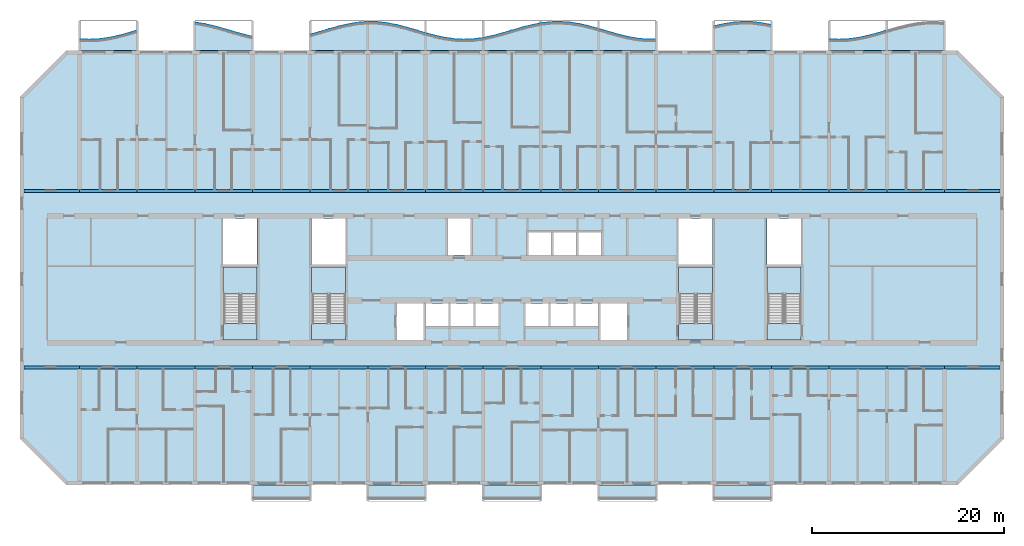
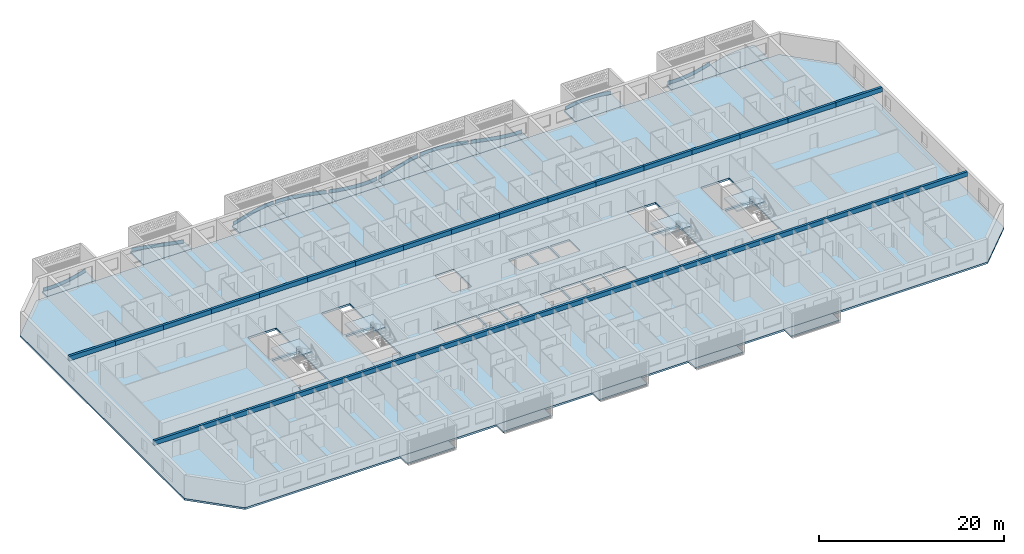
# One storey, part 1 of 44: 34 beams, 25 slabs, 10 plates, 4 elements without a shape of their own.
"""IFC4 building model written with IfcOpenShell, lengths in metres."""

from ifc_helpers import new_model, si_unit, direction, frame, origin, origin_2d, place, context, subcontext, project, spatial, polyline, rectangle, outline, extrude, source, transform, mapped, material, layer, layer_set, material_profile, profile_set, type_object, element, aggregate, save


model = new_model("IFC4")

# Units and contexts
model_context = context("Model", 3, precision=1e-05, world=origin(), true_north=direction((0.0, 1.0)))
body_context = subcontext(model_context, "Body", "Model", "MODEL_VIEW")
ifc_project = project(units=[si_unit("LENGTHUNIT", "METRE"), si_unit("AREAUNIT", "SQUARE_METRE"), si_unit("VOLUMEUNIT", "CUBIC_METRE"), si_unit("PLANEANGLEUNIT", "RADIAN"), si_unit("MASSUNIT", "GRAM", prefix="KILO")], contexts=[model_context])

# Site, building, storey
site_placement = place(None, origin())
site = spatial("IfcSite", under=ifc_project, at=site_placement, CompositionType="ELEMENT")
building_placement = place(site_placement, origin())
building = spatial("IfcBuilding", under=site, at=building_placement, Name="Poui Terraces", CompositionType="ELEMENT")
storey_placement = place(building_placement, frame((0.0, 0.0, 30.0)))
storey = spatial("IfcBuildingStorey", under=building, at=storey_placement, Name="L07", CompositionType="ELEMENT", Elevation=30.0)

# Beams
ifc_material_1 = material(Name="Concrete 80 MPa", Category="concrete")
ifc_material_profile = material_profile(ifc_material_1, rectangle(XDim=0.300048828125, YDim=0.60009765625, at=origin_2d()), Name="RC 300x600")
ifc_profile_set = profile_set([ifc_material_profile], Name="Concrete 80 MPa")
beam_type = type_object("IfcBeamType", Name="COUPLING BEAM 300x600 80MPa", PredefinedType="BEAM", material=ifc_profile_set)
shared_shape_1 = source(origin(), body_context, "Body", "SweptSolid", [
    extrude(rectangle(XDim=0.300048828125, YDim=0.60009765625, at=origin_2d()), origin(), (0.0, 0.0, 1.0), 6.0),
])
for number, where, z_axis, x_axis, name in (
    (1, (6.0, 12.0, 2.75), (1.0, 0.0, 0.0), (0.0, 1.0, 0.0), "COUPLING BEAM LINE B BAY 2"),
    (2, (12.0, 12.0, 2.75), (1.0, 0.0, 0.0), (0.0, 1.0, 0.0), "COUPLING BEAM LINE B BAY 3"),
    (3, (18.0, 12.0, 2.75), (1.0, 0.0, 0.0), (0.0, 1.0, 0.0), "COUPLING BEAM LINE B BAY 4"),
    (4, (24.0, 12.0, 2.75), (1.0, 0.0, 0.0), (0.0, 1.0, 0.0), "COUPLING BEAM LINE B BAY 5"),
    (5, (30.0, 12.0, 2.75), (1.0, 0.0, 0.0), (0.0, 1.0, 0.0), "COUPLING BEAM LINE B BAY 6"),
    (6, (36.0, 12.0, 2.75), (1.0, 0.0, 0.0), (0.0, 1.0, 0.0), "COUPLING BEAM LINE B BAY 7"),
    (7, (42.0, 12.0, 2.75), (1.0, 0.0, 0.0), (0.0, 1.0, 0.0), "COUPLING BEAM LINE B BAY 8"),
    (8, (48.0, 12.0, 2.75), (1.0, 0.0, 0.0), (0.0, 1.0, 0.0), "COUPLING BEAM LINE B BAY 9"),
    (9, (54.0, 12.0, 2.75), (1.0, 0.0, 0.0), (0.0, 1.0, 0.0), "COUPLING BEAM LINE B BAY 10"),
    (10, (60.0, 12.0, 2.75), (1.0, 0.0, 0.0), (0.0, 1.0, 0.0), "COUPLING BEAM LINE B BAY 11"),
    (11, (66.0, 12.0, 2.75), (1.0, 0.0, 0.0), (0.0, 1.0, 0.0), "COUPLING BEAM LINE B BAY 12"),
    (12, (72.0, 12.0, 2.75), (1.0, 0.0, 0.0), (0.0, 1.0, 0.0), "COUPLING BEAM LINE B BAY 13"),
    (13, (78.0, 12.0, 2.75), (1.0, 0.0, 0.0), (0.0, 1.0, 0.0), "COUPLING BEAM LINE B BAY 14"),
    (14, (84.0, 12.0, 2.75), (1.0, 0.0, 0.0), (0.0, 1.0, 0.0), "COUPLING BEAM LINE B BAY 15"),
    (15, (90.0, 12.0, 2.75), (1.0, 0.0, 0.0), (0.0, 1.0, 0.0), "COUPLING BEAM LINE B BAY 16"),
    (16, (6.0, 30.39990234375, 2.75), (1.0, 0.0, 0.0), (0.0, 1.0, 0.0), "COUPLING BEAM LINE E BAY 2"),
    (17, (12.0, 30.39990234375, 2.75), (1.0, 0.0, 0.0), (0.0, 1.0, 0.0), "COUPLING BEAM LINE E BAY 3"),
    (18, (18.0, 30.39990234375, 2.75), (1.0, 0.0, 0.0), (0.0, 1.0, 0.0), "COUPLING BEAM LINE E BAY 4"),
    (19, (24.0, 30.39990234375, 2.75), (1.0, 0.0, 0.0), (0.0, 1.0, 0.0), "COUPLING BEAM LINE E BAY 5"),
    (20, (30.0, 30.39990234375, 2.75), (1.0, 0.0, 0.0), (0.0, 1.0, 0.0), "COUPLING BEAM LINE E BAY 6"),
    (21, (36.0, 30.39990234375, 2.75), (1.0, 0.0, 0.0), (0.0, 1.0, 0.0), "COUPLING BEAM LINE E BAY 7"),
    (22, (42.0, 30.39990234375, 2.75), (1.0, 0.0, 0.0), (0.0, 1.0, 0.0), "COUPLING BEAM LINE E BAY 8"),
    (23, (48.0, 30.39990234375, 2.75), (1.0, 0.0, 0.0), (0.0, 1.0, 0.0), "COUPLING BEAM LINE E BAY 9"),
    (24, (54.0, 30.39990234375, 2.75), (1.0, 0.0, 0.0), (0.0, 1.0, 0.0), "COUPLING BEAM LINE E BAY 10"),
    (25, (60.0, 30.39990234375, 2.75), (1.0, 0.0, 0.0), (0.0, 1.0, 0.0), "COUPLING BEAM LINE E BAY 11"),
    (26, (66.0, 30.39990234375, 2.75), (1.0, 0.0, 0.0), (0.0, 1.0, 0.0), "COUPLING BEAM LINE E BAY 12"),
    (27, (72.0, 30.39990234375, 2.75), (1.0, 0.0, 0.0), (0.0, 1.0, 0.0), "COUPLING BEAM LINE E BAY 13"),
    (28, (78.0, 30.39990234375, 2.75), (1.0, 0.0, 0.0), (0.0, 1.0, 0.0), "COUPLING BEAM LINE E BAY 14"),
    (29, (84.0, 30.39990234375, 2.75), (1.0, 0.0, 0.0), (0.0, 1.0, 0.0), "COUPLING BEAM LINE E BAY 15"),
    (30, (90.0, 30.39990234375, 2.75), (1.0, 0.0, 0.0), (0.0, 1.0, 0.0), "COUPLING BEAM LINE E BAY 16"),
):
    element("IfcBeam", number, at=place(storey_placement, frame(where, z_axis=z_axis, x_axis=x_axis)), inside=storey, type_object=beam_type, Name=name, PredefinedType="BEAM", context=body_context, shape_type="MappedRepresentation", body=[
        mapped(shared_shape_1, transform((0.0, 0.0, 0.0))),
    ])
shared_shape_2 = source(origin(), body_context, "Body", "SweptSolid", [
    extrude(rectangle(XDim=0.300048828125, YDim=0.60009765625, at=origin_2d()), origin(), (0.0, 0.0, 1.0), 5.800048828125),
])
for number, where, z_axis, x_axis, name in (
    (31, (0.199951171875, 12.0, 2.75), (1.0, 0.0, 0.0), (0.0, 1.0, 0.0), "COUPLING BEAM LINE B BAY 1"),
    (32, (96.0, 12.0, 2.75), (1.0, 0.0, 0.0), (0.0, 1.0, 0.0), "COUPLING BEAM LINE B BAY 17"),
    (33, (0.199951171875, 30.39990234375, 2.75), (1.0, 0.0, 0.0), (0.0, 1.0, 0.0), "COUPLING BEAM LINE E BAY 1"),
    (34, (96.0, 30.39990234375, 2.75), (1.0, 0.0, 0.0), (0.0, 1.0, 0.0), "COUPLING BEAM LINE E BAY 17"),
):
    element("IfcBeam", number, at=place(storey_placement, frame(where, z_axis=z_axis, x_axis=x_axis)), inside=storey, type_object=beam_type, Name=name, PredefinedType="BEAM", context=body_context, shape_type="MappedRepresentation", body=[
        mapped(shared_shape_2, transform((0.0, 0.0, 0.0))),
    ])

# Slabs
ifc_material_2 = material(Name="Precast concrete 40 MPa", Category="concrete")
ifc_layer_1 = layer(ifc_material_2, 0.199951171875)
ifc_layer_set_1 = layer_set([ifc_layer_1], Name="Precast concrete 40 MPa")
slab_type_1 = type_object("IfcSlabType", Name="BALCONY SLAB 200", PredefinedType="FLOOR", material=ifc_layer_set_1)
slab_1_placement = place(storey_placement, frame((0.0, 0.0, -0.2001953125)))
element("IfcSlab", 35, at=slab_1_placement, inside=storey, type_object=slab_type_1, Name="BALCONY SLAB", PredefinedType="FLOOR", context=body_context, shape_type="SweptSolid", body=[
    extrude(outline(polyline([(6.0, 45.0), (12.0, 45.0), (12.0, 47.0498046875), (11.0, 46.755615234375), (10.0, 46.489501953125), (9.0, 46.278076171875), (8.0, 46.143798828125), (7.0, 46.10009765625), (6.0, 46.151611328125), (6.0, 45.0)])), origin(), (0.0, 0.0, 1.0), 0.2001953125),
])
slab_2_placement = place(storey_placement, frame((0.0, 0.0, -0.2001953125)))
element("IfcSlab", 36, at=slab_2_placement, inside=storey, type_object=slab_type_1, Name="BALCONY SLAB", PredefinedType="FLOOR", context=body_context, shape_type="SweptSolid", body=[
    extrude(outline(polyline([(18.0, 45.0), (24.0, 45.0), (24.0, 46.393310546875), (23.0, 46.6396484375), (22.0, 46.92578125), (21.0, 47.22216796875), (20.0, 47.498291015625), (19.0, 47.7255859375), (18.0, 47.880859375), (18.0, 45.0)])), origin(), (0.0, 0.0, 1.0), 0.2001953125),
])
slab_3_placement = place(storey_placement, frame((0.0, 0.0, -0.2001953125)))
element("IfcSlab", 37, at=slab_3_placement, inside=storey, type_object=slab_type_1, Name="BALCONY SLAB", PredefinedType="FLOOR", context=body_context, shape_type="SweptSolid", body=[
    extrude(outline(polyline([(30.0, 45.0), (36.0, 45.0), (36.0, 47.94580078125), (35.0, 47.87109375), (34.0, 47.708984375), (33.0, 47.476806640625), (32.0, 47.19775390625), (31.0, 46.901123046875), (30.0, 46.6171875), (30.0, 45.0)])), origin(), (0.0, 0.0, 1.0), 0.2001953125),
])
slab_4_placement = place(storey_placement, frame((0.0, 0.0, -0.2001953125)))
element("IfcSlab", 38, at=slab_4_placement, inside=storey, type_object=slab_type_1, Name="BALCONY SLAB", PredefinedType="FLOOR", context=body_context, shape_type="SweptSolid", body=[
    extrude(outline(polyline([(36.0, 45.0), (42.0, 45.0), (42.0, 46.779541015625), (41.0, 47.07470703125), (40.0, 47.364501953125), (39.0, 47.61962890625), (38.0, 47.8134765625), (37.0, 47.926025390625), (36.0, 47.94580078125), (36.0, 45.0)])), origin(), (0.0, 0.0, 1.0), 0.2001953125),
])
slab_5_placement = place(storey_placement, frame((0.0, 0.0, -0.2001953125)))
element("IfcSlab", 39, at=slab_5_placement, inside=storey, type_object=slab_type_1, Name="BALCONY SLAB", PredefinedType="FLOOR", context=body_context, shape_type="SweptSolid", body=[
    extrude(outline(polyline([(42.0, 45.0), (48.0, 45.0), (48.0, 46.278076171875), (47.0, 46.143798828125), (46.0, 46.10009765625), (45.0, 46.151611328125), (44.0, 46.29296875), (43.0, 46.509765625), (42.0, 46.779541015625), (42.0, 45.0)])), origin(), (0.0, 0.0, 1.0), 0.2001953125),
])
slab_6_placement = place(storey_placement, frame((0.0, 0.0, -0.2001953125)))
element("IfcSlab", 40, at=slab_6_placement, inside=storey, type_object=slab_type_1, Name="BALCONY SLAB", PredefinedType="FLOOR", context=body_context, shape_type="SweptSolid", body=[
    extrude(outline(polyline([(48.0, 45.0), (54.0, 45.0), (54.0, 47.800048828125), (53.0, 47.600341796875), (52.0, 47.34130859375), (51.0, 47.0498046875), (50.0, 46.755615234375), (49.0, 46.489501953125), (48.0, 46.278076171875), (48.0, 45.0)])), origin(), (0.0, 0.0, 1.0), 0.2001953125),
])
slab_7_placement = place(storey_placement, frame((0.0, 0.0, -0.2001953125)))
element("IfcSlab", 41, at=slab_7_placement, inside=storey, type_object=slab_type_1, Name="BALCONY SLAB", PredefinedType="FLOOR", context=body_context, shape_type="SweptSolid", body=[
    extrude(outline(polyline([(54.0, 45.0), (60.0, 45.0), (60.0, 47.22216796875), (59.0, 47.498291015625), (58.0, 47.7255859375), (57.0, 47.880859375), (56.0, 47.947998046875), (55.0, 47.920166015625), (54.0, 47.800048828125), (54.0, 45.0)])), origin(), (0.0, 0.0, 1.0), 0.2001953125),
])
slab_8_placement = place(storey_placement, frame((0.0, 0.0, -0.2001953125)))
element("IfcSlab", 42, at=slab_8_placement, inside=storey, type_object=slab_type_1, Name="BALCONY SLAB", PredefinedType="FLOOR", context=body_context, shape_type="SweptSolid", body=[
    extrude(outline(polyline([(60.0, 45.0), (66.0, 45.0), (66.0, 46.110107421875), (65.0, 46.114013671875), (64.0, 46.2119140625), (63.0, 46.393310546875), (62.0, 46.6396484375), (61.0, 46.92578125), (60.0, 47.22216796875), (60.0, 45.0)])), origin(), (0.0, 0.0, 1.0), 0.2001953125),
])
slab_9_placement = place(storey_placement, frame((0.0, 0.0, -0.2001953125)))
element("IfcSlab", 43, at=slab_9_placement, inside=storey, type_object=slab_type_1, Name="BALCONY SLAB", PredefinedType="FLOOR", context=body_context, shape_type="SweptSolid", body=[
    extrude(outline(polyline([(72.0, 45.0), (78.0, 45.0), (78.0, 47.61962890625), (77.0, 47.8134765625), (76.0, 47.926025390625), (75.0, 47.94580078125), (74.0, 47.87109375), (73.0, 47.708984375), (72.0, 47.476806640625), (72.0, 45.0)])), origin(), (0.0, 0.0, 1.0), 0.2001953125),
])
slab_10_placement = place(storey_placement, frame((0.0, 0.0, -0.2001953125)))
element("IfcSlab", 44, at=slab_10_placement, inside=storey, type_object=slab_type_1, Name="BALCONY SLAB", PredefinedType="FLOOR", context=body_context, shape_type="SweptSolid", body=[
    extrude(outline(polyline([(84.0, 45.0), (90.0, 45.0), (90.0, 47.0498046875), (89.0, 46.755615234375), (88.0, 46.489501953125), (87.0, 46.278076171875), (86.0, 46.143798828125), (85.0, 46.10009765625), (84.0, 46.151611328125), (84.0, 45.0)])), origin(), (0.0, 0.0, 1.0), 0.2001953125),
])
slab_11_placement = place(storey_placement, frame((0.0, 0.0, -0.2001953125)))
element("IfcSlab", 45, at=slab_11_placement, inside=storey, type_object=slab_type_1, Name="BALCONY SLAB", PredefinedType="FLOOR", context=body_context, shape_type="SweptSolid", body=[
    extrude(outline(polyline([(90.0, 45.0), (96.0, 45.0), (96.0, 47.880859375), (95.0, 47.947998046875), (94.0, 47.920166015625), (93.0, 47.800048828125), (92.0, 47.600341796875), (91.0, 47.34130859375), (90.0, 47.0498046875), (90.0, 45.0)])), origin(), (0.0, 0.0, 1.0), 0.2001953125),
])

# Stair, slabs
stair_type = type_object("IfcStairType", Name="EXIT STAIR 1650 80 MPA", PredefinedType="HALF_TURN_STAIR", material=ifc_material_1)
stair_1_placement = place(storey_placement, origin())
stair_1 = element("IfcStair", 46, at=stair_1_placement, inside=storey, type_object=stair_type, Name="L07 CORE STAIR EAST", PredefinedType="HALF_TURN_STAIR")
ifc_layer_2 = layer(ifc_material_1, 0.199951171875)
ifc_layer_set_2 = layer_set([ifc_layer_2], Name="Concrete 80 MPa")
slab_type_2 = type_object("IfcSlabType", Name="STAIR LANDING 200 80 MPA", PredefinedType="LANDING", material=ifc_layer_set_2)
slab_12_placement = place(storey_placement, frame((0.0, 0.0, 1.449951171875)))
slab_12 = element("IfcSlab", 47, at=slab_12_placement, type_object=slab_type_2, Name="ST-CE landing 1", PredefinedType="LANDING", context=body_context, shape_type="SweptSolid", body=[
    extrude(outline(polyline([(68.324951171875, 19.679931640625), (71.875, 19.679931640625), (71.875, 22.47509765625), (68.324951171875, 22.47509765625), (68.324951171875, 19.679931640625)])), origin(), (0.0, 0.0, 1.0), 0.199951171875),
])
slab_13_placement = place(storey_placement, frame((0.0, 0.0, -0.2001953125)))
slab_13 = element("IfcSlab", 48, at=slab_13_placement, type_object=slab_type_2, Name="ST-CE landing 2", PredefinedType="LANDING", context=body_context, shape_type="SweptSolid", body=[
    extrude(outline(polyline([(68.324951171875, 14.89990234375), (71.875, 14.89990234375), (71.875, 16.60009765625), (68.324951171875, 16.60009765625), (68.324951171875, 14.89990234375)])), origin(), (0.0, 0.0, 1.0), 0.2001953125),
])
aggregate(stair_1, [slab_12, slab_13])

stair_2_placement = place(storey_placement, origin())
stair_2 = element("IfcStair", 49, at=stair_2_placement, inside=storey, type_object=stair_type, Name="L07 CORE STAIR WEST", PredefinedType="HALF_TURN_STAIR")
slab_14_placement = place(storey_placement, frame((0.0, 0.0, 1.449951171875)))
slab_14 = element("IfcSlab", 50, at=slab_14_placement, type_object=slab_type_2, Name="ST-CW landing 1", PredefinedType="LANDING", context=body_context, shape_type="SweptSolid", body=[
    extrude(outline(polyline([(30.125, 19.679931640625), (33.675048828125, 19.679931640625), (33.675048828125, 22.47509765625), (30.125, 22.47509765625), (30.125, 19.679931640625)])), origin(), (0.0, 0.0, 1.0), 0.199951171875),
])
slab_15_placement = place(storey_placement, frame((0.0, 0.0, -0.2001953125)))
slab_15 = element("IfcSlab", 51, at=slab_15_placement, type_object=slab_type_2, Name="ST-CW landing 2", PredefinedType="LANDING", context=body_context, shape_type="SweptSolid", body=[
    extrude(outline(polyline([(30.125, 14.89990234375), (33.675048828125, 14.89990234375), (33.675048828125, 16.60009765625), (30.125, 16.60009765625), (30.125, 14.89990234375)])), origin(), (0.0, 0.0, 1.0), 0.2001953125),
])
aggregate(stair_2, [slab_14, slab_15])

stair_3_placement = place(storey_placement, origin())
stair_3 = element("IfcStair", 52, at=stair_3_placement, inside=storey, type_object=stair_type, Name="L07 TIP STAIR EAST", PredefinedType="HALF_TURN_STAIR")
slab_16_placement = place(storey_placement, frame((0.0, 0.0, 1.449951171875)))
slab_16 = element("IfcSlab", 53, at=slab_16_placement, type_object=slab_type_2, Name="ST-E landing 1", PredefinedType="LANDING", context=body_context, shape_type="SweptSolid", body=[
    extrude(outline(polyline([(77.52490234375, 19.679931640625), (81.074951171875, 19.679931640625), (81.074951171875, 22.47509765625), (77.52490234375, 22.47509765625), (77.52490234375, 19.679931640625)])), origin(), (0.0, 0.0, 1.0), 0.199951171875),
])
slab_17_placement = place(storey_placement, frame((0.0, 0.0, -0.2001953125)))
slab_17 = element("IfcSlab", 54, at=slab_17_placement, type_object=slab_type_2, Name="ST-E landing 2", PredefinedType="LANDING", context=body_context, shape_type="SweptSolid", body=[
    extrude(outline(polyline([(77.52490234375, 14.89990234375), (81.074951171875, 14.89990234375), (81.074951171875, 16.60009765625), (77.52490234375, 16.60009765625), (77.52490234375, 14.89990234375)])), origin(), (0.0, 0.0, 1.0), 0.2001953125),
])
aggregate(stair_3, [slab_16, slab_17])

stair_4_placement = place(storey_placement, origin())
stair_4 = element("IfcStair", 55, at=stair_4_placement, inside=storey, type_object=stair_type, Name="L07 TIP STAIR WEST", PredefinedType="HALF_TURN_STAIR")
slab_18_placement = place(storey_placement, frame((0.0, 0.0, 1.449951171875)))
slab_18 = element("IfcSlab", 56, at=slab_18_placement, type_object=slab_type_2, Name="ST-W landing 1", PredefinedType="LANDING", context=body_context, shape_type="SweptSolid", body=[
    extrude(outline(polyline([(20.925048828125, 19.679931640625), (24.47509765625, 19.679931640625), (24.47509765625, 22.47509765625), (20.925048828125, 22.47509765625), (20.925048828125, 19.679931640625)])), origin(), (0.0, 0.0, 1.0), 0.199951171875),
])
slab_19_placement = place(storey_placement, frame((0.0, 0.0, -0.2001953125)))
slab_19 = element("IfcSlab", 57, at=slab_19_placement, type_object=slab_type_2, Name="ST-W landing 2", PredefinedType="LANDING", context=body_context, shape_type="SweptSolid", body=[
    extrude(outline(polyline([(20.925048828125, 14.89990234375), (24.47509765625, 14.89990234375), (24.47509765625, 16.60009765625), (20.925048828125, 16.60009765625), (20.925048828125, 14.89990234375)])), origin(), (0.0, 0.0, 1.0), 0.2001953125),
])
aggregate(stair_4, [slab_18, slab_19])

# Plates
ifc_layer_3 = layer(ifc_material_2, 0.080078125)
ifc_layer_set_3 = layer_set([ifc_layer_3], Name="Precast concrete 40 MPa")
plate_type = type_object("IfcPlateType", Name="SUNSHADE UPSTAND 80", PredefinedType="SHEET", material=ifc_layer_set_3)
plate_1_placement = place(storey_placement, origin())
element("IfcPlate", 58, at=plate_1_placement, inside=storey, type_object=plate_type, Name="SUNSHADE UPSTAND", PredefinedType="SHEET", context=body_context, shape_type="SweptSolid", body=[
    extrude(outline(polyline([(7.0, 46.09521484375), (6.126708984375, 46.135009765625), (6.123291015625, 46.05517578125), (7.0, 46.014892578125), (8.00341796875, 46.058837890625), (9.0068359375, 46.193603515625), (10.00927734375, 46.405517578125), (11.0107421875, 46.672119140625), (11.88623046875, 46.92919921875), (11.86376953125, 47.006103515625), (10.9892578125, 46.749267578125), (9.99072265625, 46.4833984375), (8.9931640625, 46.272705078125), (7.99658203125, 46.138671875), (7.0, 46.09521484375)])), origin(), (0.0, 0.0, 1.0), 0.449951171875),
])
plate_2_placement = place(storey_placement, origin())
element("IfcPlate", 59, at=plate_2_placement, inside=storey, type_object=plate_type, Name="SUNSHADE UPSTAND", PredefinedType="SHEET", context=body_context, shape_type="SweptSolid", body=[
    extrude(outline(polyline([(19.007568359375, 47.7197265625), (18.140869140625, 47.85888671875), (18.13134765625, 47.8603515625), (18.11865234375, 47.781494140625), (18.992431640625, 47.641357421875), (19.990234375, 47.414306640625), (20.989013671875, 47.138671875), (21.98876953125, 46.84228515625), (22.989501953125, 46.55615234375), (23.865234375, 46.337158203125), (23.884765625, 46.414794921875), (23.010498046875, 46.63330078125), (22.01123046875, 46.919189453125), (21.010986328125, 47.215576171875), (20.009765625, 47.491943359375), (19.007568359375, 47.7197265625)])), origin(), (0.0, 0.0, 1.0), 0.449951171875),
])
plate_3_placement = place(storey_placement, origin())
element("IfcPlate", 60, at=plate_3_placement, inside=storey, type_object=plate_type, Name="SUNSHADE UPSTAND", PredefinedType="SHEET", context=body_context, shape_type="SweptSolid", body=[
    extrude(outline(polyline([(30.98876953125, 46.89453125), (30.114013671875, 46.64453125), (30.135986328125, 46.567626953125), (31.01123046875, 46.81787109375), (32.010986328125, 47.114501953125), (33.010009765625, 47.392822265625), (34.0078125, 47.624755859375), (35.0048828125, 47.786376953125), (35.878173828125, 47.856689453125), (35.871826171875, 47.936279296875), (35.83251953125, 47.933349609375), (34.9951171875, 47.86572265625), (33.9921875, 47.703369140625), (32.989990234375, 47.470458984375), (31.989013671875, 47.19140625), (30.98876953125, 46.89453125)])), origin(), (0.0, 0.0, 1.0), 0.449951171875),
])
plate_4_placement = place(storey_placement, origin())
element("IfcPlate", 61, at=plate_4_placement, inside=storey, type_object=plate_type, Name="SUNSHADE UPSTAND", PredefinedType="SHEET", context=body_context, shape_type="SweptSolid", body=[
    extrude(outline(polyline([(37.002685546875, 47.9208984375), (36.166748046875, 47.942626953125), (36.1259765625, 47.943359375), (36.1240234375, 47.86376953125), (36.997314453125, 47.841064453125), (37.993896484375, 47.728759765625), (38.9912109375, 47.535400390625), (39.989501953125, 47.281005859375), (40.98876953125, 46.9912109375), (41.863525390625, 46.732421875), (41.886474609375, 46.80908203125), (41.01123046875, 47.068115234375), (40.010498046875, 47.358154296875), (39.0087890625, 47.613525390625), (38.006103515625, 47.807861328125), (37.002685546875, 47.9208984375)])), origin(), (0.0, 0.0, 1.0), 0.449951171875),
])
plate_5_placement = place(storey_placement, origin())
element("IfcPlate", 62, at=plate_5_placement, inside=storey, type_object=plate_type, Name="SUNSHADE UPSTAND", PredefinedType="SHEET", context=body_context, shape_type="SweptSolid", body=[
    extrude(outline(polyline([(43.009521484375, 46.503662109375), (42.13525390625, 46.737548828125), (42.11474609375, 46.66015625), (42.990478515625, 46.42578125), (43.992919921875, 46.20849609375), (44.99609375, 46.06689453125), (45.999755859375, 46.014892578125), (47.00341796875, 46.058837890625), (47.880126953125, 46.172119140625), (47.869873046875, 46.25146484375), (46.99658203125, 46.138671875), (46.000244140625, 46.09521484375), (45.00390625, 46.146484375), (44.007080078125, 46.287353515625), (43.009521484375, 46.503662109375)])), origin(), (0.0, 0.0, 1.0), 0.449951171875),
])
plate_6_placement = place(storey_placement, origin())
element("IfcPlate", 63, at=plate_6_placement, inside=storey, type_object=plate_type, Name="SUNSHADE UPSTAND", PredefinedType="SHEET", context=body_context, shape_type="SweptSolid", body=[
    extrude(outline(polyline([(48.990478515625, 46.4833984375), (48.11669921875, 46.294921875), (48.13330078125, 46.216552734375), (49.009521484375, 46.405517578125), (50.0107421875, 46.672119140625), (51.01123046875, 46.96630859375), (52.010498046875, 47.2578125), (53.009033203125, 47.516357421875), (53.883056640625, 47.69482421875), (53.866943359375, 47.773193359375), (52.990966796875, 47.59423828125), (51.989501953125, 47.3349609375), (50.98876953125, 47.043212890625), (49.9892578125, 46.749267578125), (48.990478515625, 46.4833984375)])), origin(), (0.0, 0.0, 1.0), 0.449951171875),
])
plate_7_placement = place(storey_placement, origin())
element("IfcPlate", 64, at=plate_7_placement, inside=storey, type_object=plate_type, Name="SUNSHADE UPSTAND", PredefinedType="SHEET", context=body_context, shape_type="SweptSolid", body=[
    extrude(outline(polyline([(54.997314453125, 47.9150390625), (54.120361328125, 47.814453125), (54.129638671875, 47.735107421875), (55.002685546875, 47.835205078125), (55.999267578125, 47.86279296875), (56.99560546875, 47.7958984375), (57.992431640625, 47.64111328125), (58.990234375, 47.414306640625), (59.864501953125, 47.1748046875), (59.885498046875, 47.251953125), (59.009765625, 47.491943359375), (58.007568359375, 47.719970703125), (57.00439453125, 47.87548828125), (56.000732421875, 47.943115234375), (54.997314453125, 47.9150390625)])), origin(), (0.0, 0.0, 1.0), 0.449951171875),
])
plate_8_placement = place(storey_placement, origin())
element("IfcPlate", 65, at=plate_8_placement, inside=storey, type_object=plate_type, Name="SUNSHADE UPSTAND", PredefinedType="SHEET", context=body_context, shape_type="SweptSolid", body=[
    extrude(outline(polyline([(61.01123046875, 46.919189453125), (60.136474609375, 47.178955078125), (60.113525390625, 47.102294921875), (60.98876953125, 46.84228515625), (61.98974609375, 46.55615234375), (62.99169921875, 46.30908203125), (63.994384765625, 46.127197265625), (64.997802734375, 46.029052734375), (65.87451171875, 46.020263671875), (65.87548828125, 46.100341796875), (65.002197265625, 46.10888671875), (64.005615234375, 46.206298828125), (63.00830078125, 46.387451171875), (62.01025390625, 46.63330078125), (61.01123046875, 46.919189453125)])), origin(), (0.0, 0.0, 1.0), 0.449951171875),
])
plate_9_placement = place(storey_placement, origin())
element("IfcPlate", 66, at=plate_9_placement, inside=storey, type_object=plate_type, Name="SUNSHADE UPSTAND", PredefinedType="SHEET", context=body_context, shape_type="SweptSolid", body=[
    extrude(outline(polyline([(72.9921875, 47.703369140625), (72.1162109375, 47.502685546875), (72.1337890625, 47.4248046875), (73.0078125, 47.624755859375), (74.004638671875, 47.786376953125), (75.001220703125, 47.86083984375), (75.997314453125, 47.841064453125), (76.993896484375, 47.728759765625), (77.86767578125, 47.563232421875), (77.88232421875, 47.641845703125), (77.006103515625, 47.807861328125), (76.002685546875, 47.9208984375), (74.998779296875, 47.94091796875), (73.995361328125, 47.86572265625), (72.9921875, 47.703369140625)])), origin(), (0.0, 0.0, 1.0), 0.449951171875),
])
plate_10_placement = place(storey_placement, origin())
element("IfcPlate", 67, at=plate_10_placement, inside=storey, type_object=plate_type, Name="SUNSHADE UPSTAND", PredefinedType="SHEET", context=body_context, shape_type="SweptSolid", body=[
    extrude(outline(polyline([(85.0, 46.09521484375), (84.126708984375, 46.135009765625), (84.123291015625, 46.05517578125), (85.0, 46.014892578125), (86.00341796875, 46.058837890625), (87.0068359375, 46.193603515625), (88.00927734375, 46.405517578125), (89.0107421875, 46.672119140625), (89.88623046875, 46.92919921875), (89.86376953125, 47.006103515625), (88.9892578125, 46.749267578125), (87.99072265625, 46.4833984375), (86.9931640625, 46.272705078125), (85.99658203125, 46.138671875), (85.0, 46.09521484375)])), origin(), (0.0, 0.0, 1.0), 0.449951171875),
])

# Slabs
ifc_material_3 = material(Name="Concrete 40 MPa", Category="concrete")
ifc_layer_4 = layer(ifc_material_3, 0.25)
ifc_layer_set_4 = layer_set([ifc_layer_4], Name="Concrete 40 MPa")
slab_type_3 = type_object("IfcSlabType", Name="FLOOR SLAB 250", PredefinedType="FLOOR", material=ifc_layer_set_4)
shared_shape_3 = source(origin(), body_context, "Body", "SweptSolid", [
    extrude(outline(polyline([(0.0, 0.0), (4.800048828125, -4.800048828125), (97.599853515625, -4.800048828125), (102.39990234375, 0.0), (102.39990234375, 35.599853515625), (97.599853515625, 40.39990234375), (4.800048828125, 40.39990234375), (0.0, 35.599853515625), (0.0, 0.0)]), holes=[polyline([(39.199951171875, 10.2998046875), (39.199951171875, 14.099853515625), (42.0, 14.099853515625), (42.0, 10.2998046875), (39.199951171875, 10.2998046875)]), polyline([(42.199951171875, 11.699951171875), (42.199951171875, 14.099853515625), (44.599853515625, 14.099853515625), (44.599853515625, 11.699951171875), (42.199951171875, 11.699951171875)]), polyline([(44.800048828125, 11.699951171875), (44.800048828125, 14.099853515625), (47.199951171875, 14.099853515625), (47.199951171875, 11.699951171875), (44.800048828125, 11.699951171875)]), polyline([(47.39990234375, 14.099853515625), (49.800048828125, 14.099853515625), (49.800048828125, 11.699951171875), (47.39990234375, 11.699951171875), (47.39990234375, 14.099853515625)]), polyline([(52.599853515625, 14.099853515625), (55.0, 14.099853515625), (55.0, 11.699951171875), (52.599853515625, 11.699951171875), (52.599853515625, 14.099853515625)]), polyline([(21.224853515625, 17.849853515625), (24.675048828125, 17.849853515625), (24.675048828125, 12.0), (24.675048828125, 10.2998046875), (21.125, 10.2998046875), (21.125, 12.0), (21.224853515625, 12.0), (21.224853515625, 17.849853515625)]), polyline([(30.425048828125, 17.849853515625), (33.875, 17.849853515625), (33.875, 12.0), (33.875, 10.2998046875), (30.324951171875, 10.2998046875), (30.324951171875, 12.0), (30.425048828125, 12.0), (30.425048828125, 17.849853515625)]), polyline([(21.125, 18.125), (21.125, 22.89990234375), (24.675048828125, 22.89990234375), (24.675048828125, 18.125), (21.125, 18.125)]), polyline([(30.324951171875, 22.89990234375), (33.875, 22.89990234375), (33.875, 18.125), (30.324951171875, 18.125), (30.324951171875, 22.89990234375)]), polyline([(44.5, 22.89990234375), (46.89990234375, 22.89990234375), (46.89990234375, 19.099853515625), (44.5, 19.099853515625), (44.5, 22.89990234375)]), polyline([(60.39990234375, 10.2998046875), (60.39990234375, 14.099853515625), (63.199951171875, 14.099853515625), (63.199951171875, 10.2998046875), (60.39990234375, 10.2998046875)]), polyline([(55.199951171875, 11.699951171875), (55.199951171875, 14.099853515625), (57.599853515625, 14.099853515625), (57.599853515625, 11.699951171875), (55.199951171875, 11.699951171875)]), polyline([(57.800048828125, 11.699951171875), (57.800048828125, 14.099853515625), (60.199951171875, 14.099853515625), (60.199951171875, 11.699951171875), (57.800048828125, 11.699951171875)]), polyline([(72.074951171875, 17.849853515625), (72.074951171875, 12.0), (72.074951171875, 10.2998046875), (68.52490234375, 10.2998046875), (68.52490234375, 12.0), (68.625, 12.0), (68.625, 17.849853515625), (72.074951171875, 17.849853515625)]), polyline([(81.27490234375, 17.849853515625), (81.27490234375, 12.0), (81.27490234375, 10.2998046875), (77.724853515625, 10.2998046875), (77.724853515625, 12.0), (77.824951171875, 12.0), (77.824951171875, 17.849853515625), (81.27490234375, 17.849853515625)]), polyline([(52.89990234375, 19.099853515625), (52.89990234375, 21.5), (55.300048828125, 21.5), (55.300048828125, 19.099853515625), (52.89990234375, 19.099853515625)]), polyline([(55.5, 19.099853515625), (55.5, 21.5), (57.89990234375, 21.5), (57.89990234375, 19.099853515625), (55.5, 19.099853515625)]), polyline([(58.099853515625, 19.099853515625), (58.099853515625, 21.5), (60.5, 21.5), (60.5, 19.099853515625), (58.099853515625, 19.099853515625)]), polyline([(68.52490234375, 22.89990234375), (72.074951171875, 22.89990234375), (72.074951171875, 18.125), (68.52490234375, 18.125), (68.52490234375, 22.89990234375)]), polyline([(77.724853515625, 22.89990234375), (81.27490234375, 22.89990234375), (81.27490234375, 18.125), (77.724853515625, 18.125), (77.724853515625, 22.89990234375)])]), origin(), (0.0, 0.0, 1.0), 0.25),
])
slab_20_placement = place(storey_placement, frame((-0.199951171875, 4.60009765625, -0.25)))
element("IfcSlab", 68, at=slab_20_placement, inside=storey, type_object=slab_type_3, Name="FLOOR SLAB", PredefinedType="FLOOR", context=body_context, shape_type="MappedRepresentation", body=[
    mapped(shared_shape_3, transform((0.0, 0.0, 0.0))),
])
ifc_layer_5 = layer(ifc_material_2, 0.199951171875)
ifc_layer_set_5 = layer_set([ifc_layer_5], Name="Precast concrete 40 MPa")
slab_type_4 = type_object("IfcSlabType", Name="REAR BALCONY SLAB 200", PredefinedType="FLOOR", material=ifc_layer_set_5)
shared_shape_4 = source(origin(), body_context, "Body", "SweptSolid", [
    extrude(outline(polyline([(0.0, 0.0), (6.0, 0.0), (6.0, 1.5), (0.0, 1.5), (0.0, 0.0)])), origin(), (0.0, 0.0, 1.0), 0.2001953125),
])
for number, where, name in (
    (69, (24.0, -1.699951171875, -0.2001953125), "REAR BALCONY SLAB"),
    (70, (36.0, -1.699951171875, -0.2001953125), "REAR BALCONY SLAB"),
    (71, (48.0, -1.699951171875, -0.2001953125), "REAR BALCONY SLAB"),
    (72, (60.0, -1.699951171875, -0.2001953125), "REAR BALCONY SLAB"),
    (73, (72.0, -1.699951171875, -0.2001953125), "REAR BALCONY SLAB"),
):
    element("IfcSlab", number, at=place(storey_placement, frame(where)), inside=storey, type_object=slab_type_4, Name=name, PredefinedType="FLOOR", context=body_context, shape_type="MappedRepresentation", body=[
        mapped(shared_shape_4, transform((0.0, 0.0, 0.0))),
    ])

save(model, "model.ifc")
